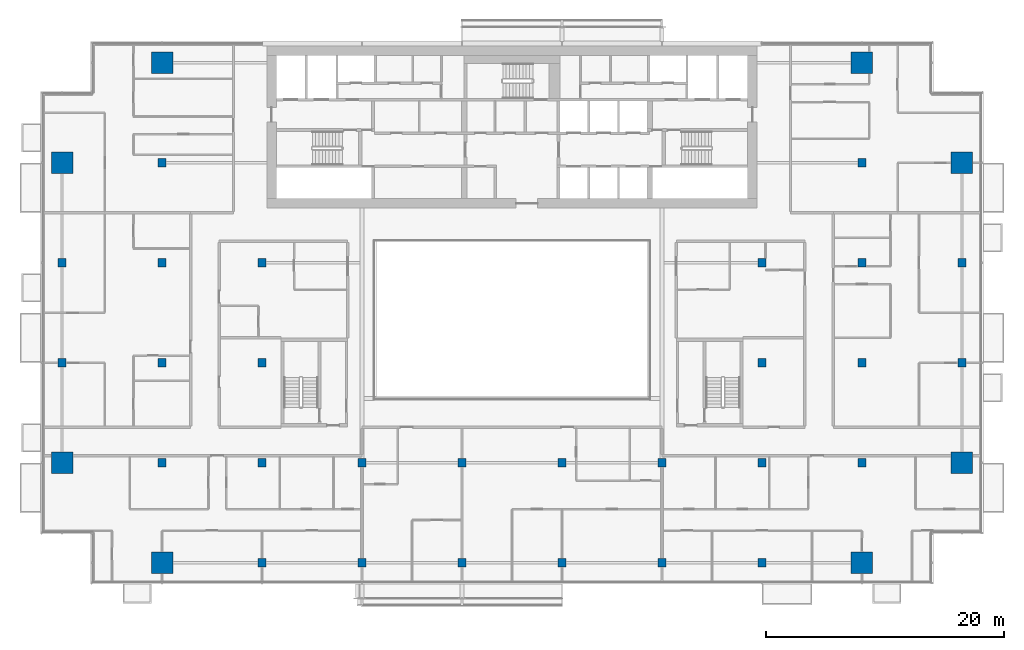
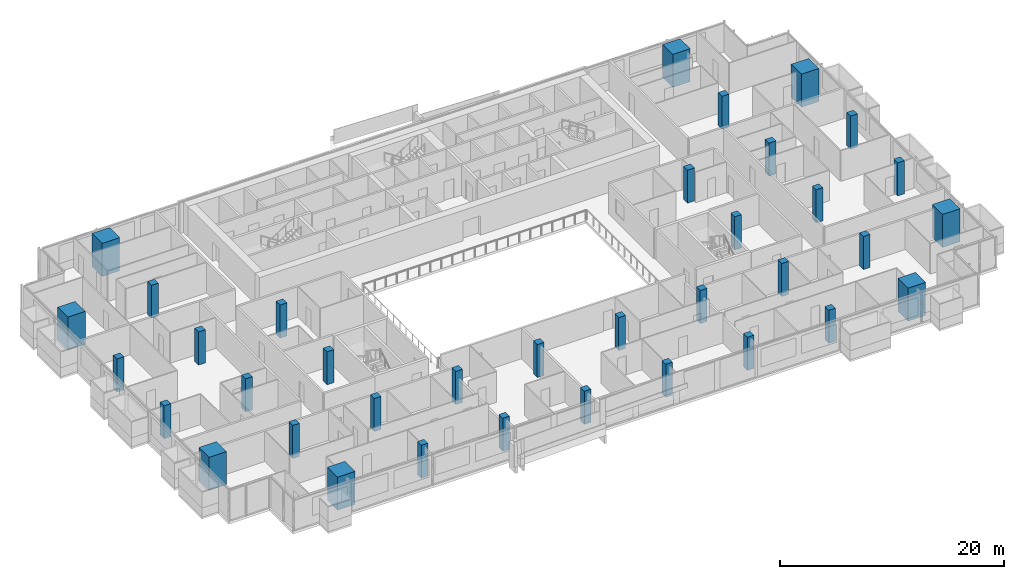
# One storey, part 1 of 28: 36 columns.
"""IFC4 building model written with IfcOpenShell, lengths in metres."""

from ifc_helpers import new_model, si_unit, direction, frame, origin, origin_2d, place, context, subcontext, project, spatial, rectangle, extrude, material, material_profile, profile_set, type_object, element, save


model = new_model("IFC4")

# Units and contexts
model_context = context("Model", 3, precision=1e-05, world=origin(), true_north=direction((0.0, 1.0)))
body_context = subcontext(model_context, "Body", "Model", "MODEL_VIEW")
ifc_project = project(units=[si_unit("LENGTHUNIT", "METRE"), si_unit("AREAUNIT", "SQUARE_METRE"), si_unit("VOLUMEUNIT", "CUBIC_METRE"), si_unit("PLANEANGLEUNIT", "RADIAN"), si_unit("MASSUNIT", "GRAM", prefix="KILO")], contexts=[model_context])

# Site, building, storey
site_placement = place(None, origin())
site = spatial("IfcSite", under=ifc_project, at=site_placement, CompositionType="ELEMENT")
building_placement = place(site_placement, origin())
building = spatial("IfcBuilding", under=site, at=building_placement, Name="Saffron Gate Tower", CompositionType="ELEMENT")
storey_placement = place(building_placement, frame((0.0, 0.0, 151.050048828125)))
storey = spatial("IfcBuildingStorey", under=building, at=storey_placement, Name="L36", CompositionType="ELEMENT", Elevation=151.050048828125)

# Columns
ifc_material_1 = material(Name="Concrete C50", Category="concrete")
ifc_material_profile_1 = material_profile(ifc_material_1, rectangle(XDim=0.699951171875, YDim=0.699951171875, at=origin_2d()))
ifc_profile_set_1 = profile_set([ifc_material_profile_1], Name="Concrete C50")
column_type_1 = type_object("IfcColumnType", Name="C3 RC 700x700 CONCRETE C50", PredefinedType="COLUMN", material=ifc_profile_set_1)
for number, where, z_axis, x_axis, name in (
    (1, (49.800048828125, 48.60009765625, 0.0), (0.0, 0.0, 1.0), (1.0, 0.0, 0.0), "C3 COLUMN X1-C"),
    (2, (49.800048828125, 57.0, 0.0), (0.0, 0.0, 1.0), (1.0, 0.0, 0.0), "C3 COLUMN X1-D"),
    (3, (58.199951171875, 40.199951171875, 0.0), (0.0, 0.0, 1.0), (1.0, 0.0, 0.0), "C3 COLUMN X2-B"),
    (4, (58.199951171875, 48.60009765625, 0.0), (0.0, 0.0, 1.0), (1.0, 0.0, 0.0), "C3 COLUMN X2-C"),
    (5, (58.199951171875, 57.0, 0.0), (0.0, 0.0, 1.0), (1.0, 0.0, 0.0), "C3 COLUMN X2-D"),
    (6, (58.199951171875, 65.39990234375, 0.0), (0.0, 0.0, 1.0), (1.0, 0.0, 0.0), "C3 COLUMN X2-E"),
    (7, (66.60009765625, 31.800048828125, 0.0), (0.0, 0.0, 1.0), (1.0, 0.0, 0.0), "C3 COLUMN X3-A"),
    (8, (66.60009765625, 40.199951171875, 0.0), (0.0, 0.0, 1.0), (1.0, 0.0, 0.0), "C3 COLUMN X3-B"),
    (9, (66.60009765625, 48.60009765625, 0.0), (0.0, 0.0, 1.0), (1.0, 0.0, 0.0), "C3 COLUMN X3-C"),
    (10, (66.60009765625, 57.0, 0.0), (0.0, 0.0, 1.0), (1.0, 0.0, 0.0), "C3 COLUMN X3-D"),
    (11, (75.0, 31.800048828125, 0.0), (0.0, 0.0, 1.0), (1.0, 0.0, 0.0), "C3 COLUMN X4-A"),
    (12, (75.0, 40.199951171875, 0.0), (0.0, 0.0, 1.0), (1.0, 0.0, 0.0), "C3 COLUMN X4-B"),
    (13, (83.39990234375, 31.800048828125, 0.0), (0.0, 0.0, 1.0), (1.0, 0.0, 0.0), "C3 COLUMN X5-A"),
    (14, (83.39990234375, 40.199951171875, 0.0), (0.0, 0.0, 1.0), (1.0, 0.0, 0.0), "C3 COLUMN X5-B"),
    (15, (91.800048828125, 31.800048828125, 0.0), (0.0, 0.0, 1.0), (1.0, 0.0, 0.0), "C3 COLUMN X6-A"),
    (16, (91.800048828125, 40.199951171875, 0.0), (0.0, 0.0, 1.0), (1.0, 0.0, 0.0), "C3 COLUMN X6-B"),
    (17, (100.199951171875, 31.800048828125, 0.0), (0.0, 0.0, 1.0), (1.0, 0.0, 0.0), "C3 COLUMN X7-A"),
    (18, (100.199951171875, 40.199951171875, 0.0), (0.0, 0.0, 1.0), (1.0, 0.0, 0.0), "C3 COLUMN X7-B"),
    (19, (108.60009765625, 31.800048828125, 0.0), (0.0, 0.0, 1.0), (1.0, 0.0, 0.0), "C3 COLUMN X8-A"),
    (20, (108.60009765625, 40.199951171875, 0.0), (0.0, 0.0, 1.0), (1.0, 0.0, 0.0), "C3 COLUMN X8-B"),
    (21, (108.60009765625, 48.60009765625, 0.0), (0.0, 0.0, 1.0), (1.0, 0.0, 0.0), "C3 COLUMN X8-C"),
    (22, (108.60009765625, 57.0, 0.0), (0.0, 0.0, 1.0), (1.0, 0.0, 0.0), "C3 COLUMN X8-D"),
    (23, (117.0, 40.199951171875, 0.0), (0.0, 0.0, 1.0), (1.0, 0.0, 0.0), "C3 COLUMN X9-B"),
    (24, (117.0, 48.60009765625, 0.0), (0.0, 0.0, 1.0), (1.0, 0.0, 0.0), "C3 COLUMN X9-C"),
    (25, (117.0, 57.0, 0.0), (0.0, 0.0, 1.0), (1.0, 0.0, 0.0), "C3 COLUMN X9-D"),
    (26, (117.0, 65.39990234375, 0.0), (0.0, 0.0, 1.0), (1.0, 0.0, 0.0), "C3 COLUMN X9-E"),
    (27, (125.39990234375, 48.60009765625, 0.0), (0.0, 0.0, 1.0), (1.0, 0.0, 0.0), "C3 COLUMN X10-C"),
    (28, (125.39990234375, 57.0, 0.0), (0.0, 0.0, 1.0), (1.0, 0.0, 0.0), "C3 COLUMN X10-D"),
):
    element("IfcColumn", number, at=place(storey_placement, frame(where, z_axis=z_axis, x_axis=x_axis)), inside=storey, type_object=column_type_1, Name=name, PredefinedType="COLUMN", context=body_context, shape_type="SweptSolid", body=[
        extrude(rectangle(XDim=0.699951171875, YDim=0.699951171875, at=origin_2d()), origin(), (0.0, 0.0, 1.0), 3.599853515625),
    ])
ifc_material_2 = material(Name="Concrete C70", Category="concrete")
ifc_material_profile_2 = material_profile(ifc_material_2, rectangle(XDim=1.800048828125, YDim=1.800048828125, at=origin_2d()))
ifc_profile_set_2 = profile_set([ifc_material_profile_2], Name="Concrete C70")
column_type_2 = type_object("IfcColumnType", Name="MC2 RC 1800x1800 CONCRETE C70", PredefinedType="COLUMN", material=ifc_profile_set_2)
for number, where, z_axis, x_axis, name in (
    (29, (49.800048828125, 40.199951171875, 0.0), (0.0, 0.0, 1.0), (1.0, 0.0, 0.0), "MC2 MEGA COLUMN X1-B"),
    (30, (49.800048828125, 65.39990234375, 0.0), (0.0, 0.0, 1.0), (1.0, 0.0, 0.0), "MC2 MEGA COLUMN X1-E"),
    (31, (58.199951171875, 31.800048828125, 0.0), (0.0, 0.0, 1.0), (1.0, 0.0, 0.0), "MC2 MEGA COLUMN X2-A"),
    (32, (58.199951171875, 73.800048828125, 0.0), (0.0, 0.0, 1.0), (1.0, 0.0, 0.0), "MC2 MEGA COLUMN X2-F"),
    (33, (117.0, 31.800048828125, 0.0), (0.0, 0.0, 1.0), (1.0, 0.0, 0.0), "MC2 MEGA COLUMN X9-A"),
    (34, (117.0, 73.800048828125, 0.0), (0.0, 0.0, 1.0), (1.0, 0.0, 0.0), "MC2 MEGA COLUMN X9-F"),
    (35, (125.39990234375, 40.199951171875, 0.0), (0.0, 0.0, 1.0), (1.0, 0.0, 0.0), "MC2 MEGA COLUMN X10-B"),
    (36, (125.39990234375, 65.39990234375, 0.0), (0.0, 0.0, 1.0), (1.0, 0.0, 0.0), "MC2 MEGA COLUMN X10-E"),
):
    element("IfcColumn", number, at=place(storey_placement, frame(where, z_axis=z_axis, x_axis=x_axis)), inside=storey, type_object=column_type_2, Name=name, PredefinedType="COLUMN", context=body_context, shape_type="SweptSolid", body=[
        extrude(rectangle(XDim=1.800048828125, YDim=1.800048828125, at=origin_2d()), origin(), (0.0, 0.0, 1.0), 3.599853515625),
    ])

save(model, "model.ifc")
